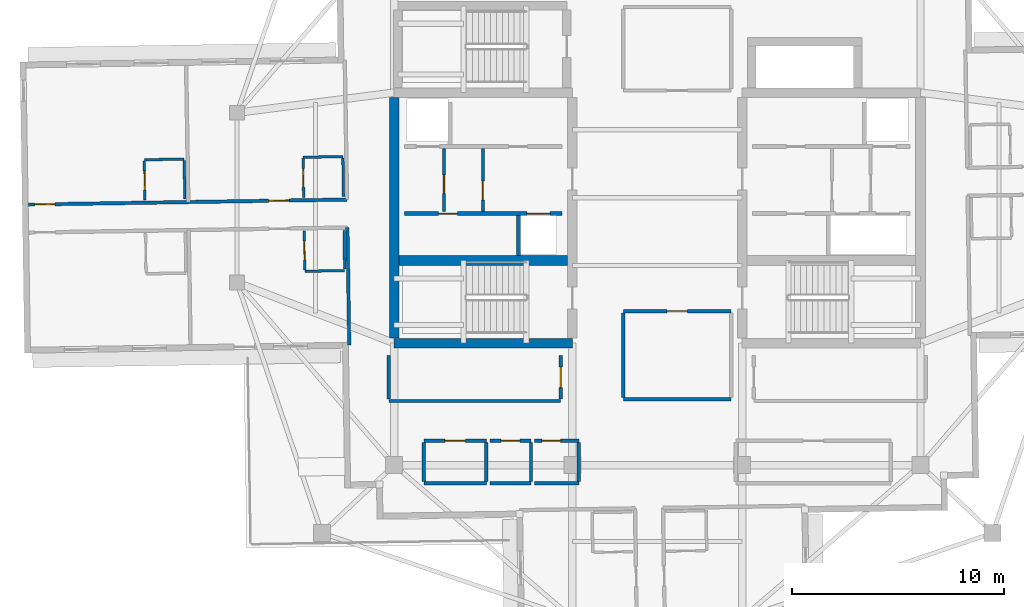
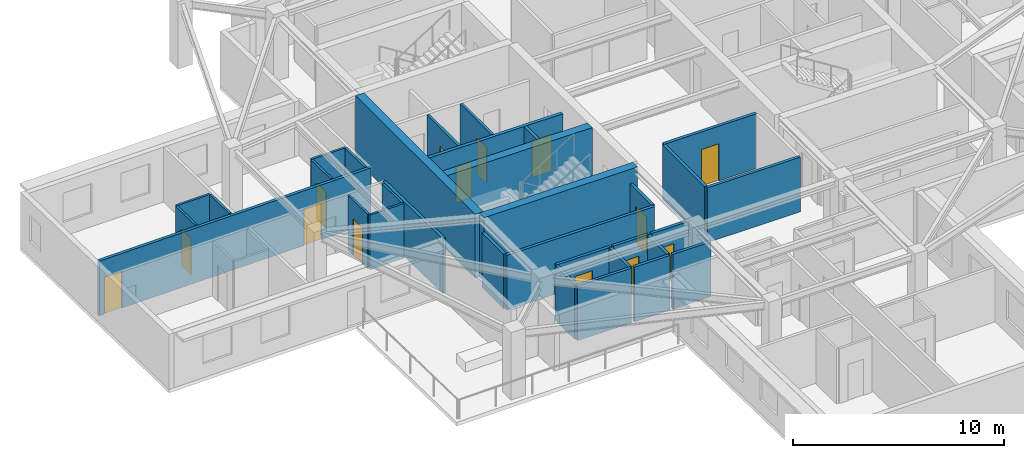
# One storey, part 4 of 12: 34 walls, 14 doors, 14 openings.
"""IFC4 building model written with IfcOpenShell, lengths in metres."""

from ifc_helpers import new_model, si_unit, direction, frame, frame_2d, origin, place, context, subcontext, project, spatial, rectangle, extrude, material, layer, layer_set, type_object, element, fill, save


model = new_model("IFC4")

# Units and contexts
model_context = context("Model", 3, precision=1e-05, world=origin(), true_north=direction((0.0, 1.0)))
body_context = subcontext(model_context, "Body", "Model", "MODEL_VIEW")
ifc_project = project(units=[si_unit("LENGTHUNIT", "METRE"), si_unit("AREAUNIT", "SQUARE_METRE"), si_unit("VOLUMEUNIT", "CUBIC_METRE"), si_unit("PLANEANGLEUNIT", "RADIAN"), si_unit("MASSUNIT", "GRAM", prefix="KILO")], contexts=[model_context])

# Site, building, storey
site_placement = place(None, origin())
site = spatial("IfcSite", under=ifc_project, at=site_placement, CompositionType="ELEMENT")
building_placement = place(site_placement, origin())
building = spatial("IfcBuilding", under=site, at=building_placement, Name="Qingluan Cross Belvedere", CompositionType="ELEMENT")
storey_placement = place(building_placement, frame((0.0, 0.0, 269.39990234375)))
storey = spatial("IfcBuildingStorey", under=building, at=storey_placement, Name="L67", CompositionType="ELEMENT", Elevation=269.39990234375)

# Walls
ifc_material_1 = material(Name="Concrete C50", Category="concrete")
ifc_layer_1 = layer(ifc_material_1, 0.449951171875, Name="CoreShearWall_450")
ifc_layer_set_1 = layer_set([ifc_layer_1], Name="Concrete C50")
wall_type_1 = type_object("IfcWallType", Name="CoreShearWall_450", PredefinedType="SHEAR", material=ifc_layer_set_1)
wall_1_placement = place(storey_placement, frame((-12.39990234375, -6.85009765625, 0.0), z_axis=(0.0, 0.0, 1.0), x_axis=(1.0, 0.0, 0.0)))
element("IfcWall", 1, at=wall_1_placement, inside=storey, type_object=wall_type_1, Name="Split core W shear wall L67-S", PredefinedType="SHEAR", context=body_context, shape_type="SweptSolid", body=[
    extrude(rectangle(XDim=8.39990234375, YDim=0.449951171875, at=frame_2d((4.199951171875, 0.0))), origin(), (0.0, 0.0, 1.0), 3.7001953125),
])
wall_2_placement = place(storey_placement, frame((-12.39990234375, -6.6201171875, 0.0), z_axis=(0.0, 0.0, 1.0), x_axis=(0.0, 1.0, 0.0)))
element("IfcWall", 2, at=wall_2_placement, inside=storey, type_object=wall_type_1, Name="Split core W shear wall L67-W", PredefinedType="SHEAR", context=body_context, shape_type="SweptSolid", body=[
    extrude(rectangle(XDim=11.340087890625, YDim=0.449951171875, at=frame_2d((5.669921875, 0.0))), origin(), (0.0, 0.0, 1.0), 3.7001953125),
])
wall_3_placement = place(storey_placement, frame((-12.169921875, -2.9599609375, 0.0), z_axis=(0.0, 0.0, 1.0), x_axis=(1.0, 0.0, 0.0)))
element("IfcWall", 3, at=wall_3_placement, inside=storey, type_object=wall_type_1, Name="Split core W shear wall L67-M", PredefinedType="SHEAR", context=body_context, shape_type="SweptSolid", body=[
    extrude(rectangle(XDim=7.93994140625, YDim=0.449951171875, at=frame_2d((3.969970703125, 0.0))), origin(), (0.0, 0.0, 1.0), 3.7001953125),
])

# Wall, opening, door
ifc_material_2 = material(Name="Gypsum plasterboard on steel stud acoustic partition", Category="steel")
ifc_layer_2 = layer(ifc_material_2, 0.159912109375, Name="CorridorPartition_160")
ifc_layer_set_2 = layer_set([ifc_layer_2], Name="Gypsum plasterboard on steel stud acoustic partition")
wall_type_2 = type_object("IfcWallType", Name="CorridorPartition_160", PredefinedType="PARTITIONING", material=ifc_layer_set_2)
wall_4_placement = place(storey_placement, frame((-10.050048828125, -0.652099609375, 0.0), z_axis=(0.0, 0.0, 1.0), x_axis=(0.0, 1.0, 0.0)))
wall_4 = element("IfcWall", 4, at=wall_4_placement, inside=storey, type_object=wall_type_2, Name="Partition L67:wv", PredefinedType="PARTITIONING", context=body_context, shape_type="SweptSolid", body=[
    extrude(rectangle(XDim=2.962158203125, YDim=0.139892578125, at=frame_2d((1.48095703125, 0.0))), origin(), (0.0, 0.0, 1.0), 3.170166015625),
])
opening_1_placement = place(wall_4_placement, frame((0.85009765625, 0.0, 0.0)))
opening_1 = element("IfcOpeningElement", 5, at=opening_1_placement, cuts=wall_4, Name="Opening FD-B10", PredefinedType="OPENING", context=body_context, shape_type="SweptSolid", body=[
    extrude(rectangle(XDim=0.8798828125, YDim=2.10009765625, at=frame_2d((0.43994140625, 1.050048828125))), frame((0.0, 0.079833984375, 0.0), z_axis=(0.0, -1.0, 0.0), x_axis=(1.0, 0.0, 0.0)), (0.0, 0.0, 1.0), 0.159912109375),
])
ifc_material_3 = material(Name="Steel Class B service fire door", Category="steel")
door_type_1 = type_object("IfcDoorType", Name="RiserServiceFireDoor_FDB", OperationType="NOTDEFINED", PredefinedType="DOOR", material=ifc_material_3)
door_1_placement = place(opening_1_placement, origin())
door_1 = element("IfcDoor", 6, at=door_1_placement, inside=storey, type_object=door_type_1, Name="Service closet inner door L67", OperationType="SINGLE_SWING_RIGHT", OverallHeight=2.10009765625, OverallWidth=0.8798828125, PredefinedType="DOOR", context=body_context, shape_type="SweptSolid", body=[
    extrude(rectangle(XDim=0.8798828125, YDim=2.10009765625, at=frame_2d((0.43994140625, 1.050048828125))), frame((0.0, 0.02490234375, 0.0), z_axis=(0.0, -1.0, 0.0), x_axis=(1.0, 0.0, 0.0)), (0.0, 0.0, 1.0), 0.050048828125),
])
fill(opening_1, door_1)

# Wall
wall_5_placement = place(storey_placement, frame((-11.0, -13.449951171875, 0.0), z_axis=(0.0, 0.0, 1.0), x_axis=(1.0, 0.0, 0.0)))
element("IfcWall", 7, at=wall_5_placement, inside=storey, type_object=wall_type_2, Name="Partition L67:q_sw_occ:S", PredefinedType="PARTITIONING", context=body_context, shape_type="SweptSolid", body=[
    extrude(rectangle(XDim=2.949951171875, YDim=0.159912109375, at=frame_2d((1.47509765625, 0.0))), origin(), (0.0, 0.0, 1.0), 3.170166015625),
])

# Wall, opening, door
wall_6_placement = place(storey_placement, frame((-11.0, -11.449951171875, 0.0), z_axis=(0.0, 0.0, 1.0), x_axis=(1.0, 0.0, 0.0)))
wall_6 = element("IfcWall", 8, at=wall_6_placement, inside=storey, type_object=wall_type_2, Name="Partition L67:q_sw_occ:N", PredefinedType="PARTITIONING", context=body_context, shape_type="SweptSolid", body=[
    extrude(rectangle(XDim=2.949951171875, YDim=0.159912109375, at=frame_2d((1.47509765625, 0.0))), origin(), (0.0, 0.0, 1.0), 3.170166015625),
])
opening_2_placement = place(wall_6_placement, frame((0.9951171875, 0.0, 0.0)))
opening_2 = element("IfcOpeningElement", 9, at=opening_2_placement, cuts=wall_6, Name="Opening GD-10", PredefinedType="OPENING", context=body_context, shape_type="SweptSolid", body=[
    extrude(rectangle(XDim=0.9599609375, YDim=2.14990234375, at=frame_2d((0.47998046875, 1.074951171875))), frame((0.0, 0.08984375, 0.0), z_axis=(0.0, -1.0, 0.0), x_axis=(1.0, 0.0, 0.0)), (0.0, 0.0, 1.0), 0.179931640625),
])
ifc_material_4 = material(Name="Timber oak fire-rated acoustic guestroom door", Category="wood")
door_type_2 = type_object("IfcDoorType", Name="GuestEntryDoor_FD60", OperationType="NOTDEFINED", PredefinedType="DOOR", material=ifc_material_4)
door_2_placement = place(opening_2_placement, origin())
door_2 = element("IfcDoor", 10, at=door_2_placement, inside=storey, type_object=door_type_2, Name="Wellness recovery room L67 door", OperationType="SINGLE_SWING_LEFT", OverallHeight=2.14990234375, OverallWidth=0.9599609375, PredefinedType="DOOR", context=body_context, shape_type="SweptSolid", body=[
    extrude(rectangle(XDim=0.9599609375, YDim=2.14990234375, at=frame_2d((0.47998046875, 1.074951171875))), frame((0.0, 0.02490234375, 0.0), z_axis=(0.0, -1.0, 0.0), x_axis=(1.0, 0.0, 0.0)), (0.0, 0.0, 1.0), 0.050048828125),
])
fill(opening_2, door_2)

# Walls
for number, where, z_axis, x_axis, name in (
    (11, (-11.0, -13.364990234375, 0.0), (0.0, 0.0, 1.0), (0.0, 1.0, 0.0), "Partition L67:q_sw_occ:W"),
    (12, (-8.050048828125, -13.364990234375, 0.0), (0.0, 0.0, 1.0), (0.0, 1.0, 0.0), "Partition L67:q_sw_occ:E"),
):
    element("IfcWall", number, at=place(storey_placement, frame(where, z_axis=z_axis, x_axis=x_axis)), inside=storey, type_object=wall_type_2, Name=name, PredefinedType="PARTITIONING", context=body_context, shape_type="SweptSolid", body=[
        extrude(rectangle(XDim=1.830078125, YDim=0.159912109375, at=frame_2d((0.9150390625, 0.0))), origin(), (0.0, 0.0, 1.0), 3.170166015625),
    ])
wall_7_placement = place(storey_placement, frame((-7.889892578125, -13.449951171875, 0.0), z_axis=(0.0, 0.0, 1.0), x_axis=(1.0, 0.0, 0.0)))
element("IfcWall", 13, at=wall_7_placement, inside=storey, type_object=wall_type_2, Name="Partition L67:hk_linen:S", PredefinedType="PARTITIONING", context=body_context, shape_type="SweptSolid", body=[
    extrude(rectangle(XDim=1.93994140625, YDim=0.159912109375, at=frame_2d((0.969970703125, 0.0))), origin(), (0.0, 0.0, 1.0), 3.170166015625),
])

# Wall, opening, door
wall_8_placement = place(storey_placement, frame((-7.889892578125, -11.449951171875, 0.0), z_axis=(0.0, 0.0, 1.0), x_axis=(1.0, 0.0, 0.0)))
wall_8 = element("IfcWall", 14, at=wall_8_placement, inside=storey, type_object=wall_type_2, Name="Partition L67:hk_linen:N", PredefinedType="PARTITIONING", context=body_context, shape_type="SweptSolid", body=[
    extrude(rectangle(XDim=1.93994140625, YDim=0.159912109375, at=frame_2d((0.969970703125, 0.0))), origin(), (0.0, 0.0, 1.0), 3.170166015625),
])
opening_3_placement = place(wall_8_placement, frame((0.530029296875, 0.0, 0.0)))
opening_3 = element("IfcOpeningElement", 15, at=opening_3_placement, cuts=wall_8, Name="Opening FD-B10", PredefinedType="OPENING", context=body_context, shape_type="SweptSolid", body=[
    extrude(rectangle(XDim=0.8798828125, YDim=2.10009765625, at=frame_2d((0.43994140625, 1.050048828125))), frame((0.0, 0.08984375, 0.0), z_axis=(0.0, -1.0, 0.0), x_axis=(1.0, 0.0, 0.0)), (0.0, 0.0, 1.0), 0.179931640625),
])
door_3_placement = place(opening_3_placement, origin())
door_3 = element("IfcDoor", 16, at=door_3_placement, inside=storey, type_object=door_type_1, Name="Housekeeping and linen store L67 door", OperationType="SINGLE_SWING_RIGHT", OverallHeight=2.10009765625, OverallWidth=0.8798828125, PredefinedType="DOOR", context=body_context, shape_type="SweptSolid", body=[
    extrude(rectangle(XDim=0.8798828125, YDim=2.10009765625, at=frame_2d((0.43994140625, 1.050048828125))), frame((0.0, 0.02490234375, 0.0), z_axis=(0.0, -1.0, 0.0), x_axis=(1.0, 0.0, 0.0)), (0.0, 0.0, 1.0), 0.050048828125),
])
fill(opening_3, door_3)

# Walls
wall_9_placement = place(storey_placement, frame((-5.949951171875, -13.364990234375, 0.0), z_axis=(0.0, 0.0, 1.0), x_axis=(0.0, 1.0, 0.0)))
element("IfcWall", 17, at=wall_9_placement, inside=storey, type_object=wall_type_2, Name="Partition L67:hk_linen:E", PredefinedType="PARTITIONING", context=body_context, shape_type="SweptSolid", body=[
    extrude(rectangle(XDim=1.830078125, YDim=0.159912109375, at=frame_2d((0.9150390625, 0.0))), origin(), (0.0, 0.0, 1.0), 3.170166015625),
])
wall_10_placement = place(storey_placement, frame((-5.7900390625, -13.449951171875, 0.0), z_axis=(0.0, 0.0, 1.0), x_axis=(1.0, 0.0, 0.0)))
element("IfcWall", 18, at=wall_10_placement, inside=storey, type_object=wall_type_2, Name="Partition L67:floor_acc_wc:S", PredefinedType="PARTITIONING", context=body_context, shape_type="SweptSolid", body=[
    extrude(rectangle(XDim=2.090087890625, YDim=0.159912109375, at=frame_2d((1.044921875, 0.0))), origin(), (0.0, 0.0, 1.0), 3.170166015625),
])

# Wall, opening, door
wall_11_placement = place(storey_placement, frame((-5.7900390625, -11.449951171875, 0.0), z_axis=(0.0, 0.0, 1.0), x_axis=(1.0, 0.0, 0.0)))
wall_11 = element("IfcWall", 19, at=wall_11_placement, inside=storey, type_object=wall_type_2, Name="Partition L67:floor_acc_wc:N", PredefinedType="PARTITIONING", context=body_context, shape_type="SweptSolid", body=[
    extrude(rectangle(XDim=2.090087890625, YDim=0.159912109375, at=frame_2d((1.044921875, 0.0))), origin(), (0.0, 0.0, 1.0), 3.170166015625),
])
opening_4_placement = place(wall_11_placement, frame((0.35009765625, 0.0, 0.0)))
opening_4 = element("IfcOpeningElement", 20, at=opening_4_placement, cuts=wall_11, Name="Opening BD-08", PredefinedType="OPENING", context=body_context, shape_type="SweptSolid", body=[
    extrude(rectangle(XDim=0.8798828125, YDim=2.14990234375, at=frame_2d((0.43994140625, 1.074951171875))), frame((0.0, 0.08984375, 0.0), z_axis=(0.0, -1.0, 0.0), x_axis=(1.0, 0.0, 0.0)), (0.0, 0.0, 1.0), 0.179931640625),
])
ifc_material_5 = material(Name="Moisture-sealed timber accessible WC door", Category="wood")
door_type_3 = type_object("IfcDoorType", Name="AccessibleWCDoor_880", OperationType="NOTDEFINED", PredefinedType="DOOR", material=ifc_material_5)
door_4_placement = place(opening_4_placement, origin())
door_4 = element("IfcDoor", 21, at=door_4_placement, inside=storey, type_object=door_type_3, Name="Accessible guest washroom L67 door", OperationType="SINGLE_SWING_LEFT", OverallHeight=2.14990234375, OverallWidth=0.8798828125, PredefinedType="DOOR", context=body_context, shape_type="SweptSolid", body=[
    extrude(rectangle(XDim=0.8798828125, YDim=2.14990234375, at=frame_2d((0.43994140625, 1.074951171875))), frame((0.0, 0.02490234375, 0.0), z_axis=(0.0, -1.0, 0.0), x_axis=(1.0, 0.0, 0.0)), (0.0, 0.0, 1.0), 0.050048828125),
])
fill(opening_4, door_4)

# Walls
wall_12_placement = place(storey_placement, frame((-3.699951171875, -13.364990234375, 0.0), z_axis=(0.0, 0.0, 1.0), x_axis=(0.0, 1.0, 0.0)))
element("IfcWall", 22, at=wall_12_placement, inside=storey, type_object=wall_type_2, Name="Partition L67:floor_acc_wc:E", PredefinedType="PARTITIONING", context=body_context, shape_type="SweptSolid", body=[
    extrude(rectangle(XDim=1.830078125, YDim=0.159912109375, at=frame_2d((0.9150390625, 0.0))), origin(), (0.0, 0.0, 1.0), 3.170166015625),
])
wall_13_placement = place(storey_placement, frame((-1.60009765625, -9.5, 0.0), z_axis=(0.0, 0.0, 1.0), x_axis=(1.0, 0.0, 0.0)))
element("IfcWall", 23, at=wall_13_placement, inside=storey, type_object=wall_type_2, Name="Partition L67:sky_south_alcove:S", PredefinedType="PARTITIONING", context=body_context, shape_type="SweptSolid", body=[
    extrude(rectangle(XDim=5.080078125, YDim=0.159912109375, at=frame_2d((2.5400390625, 0.0))), origin(), (0.0, 0.0, 1.0), 3.170166015625),
])

# Wall, opening, door
wall_14_placement = place(storey_placement, frame((-1.60009765625, -5.35009765625, 0.0), z_axis=(0.0, 0.0, 1.0), x_axis=(1.0, 0.0, 0.0)))
wall_14 = element("IfcWall", 24, at=wall_14_placement, inside=storey, type_object=wall_type_2, Name="Partition L67:sky_south_alcove:N", PredefinedType="PARTITIONING", context=body_context, shape_type="SweptSolid", body=[
    extrude(rectangle(XDim=5.080078125, YDim=0.159912109375, at=frame_2d((2.5400390625, 0.0))), origin(), (0.0, 0.0, 1.0), 3.170166015625),
])
opening_5_placement = place(wall_14_placement, frame((2.06005859375, 0.0, 0.0)))
opening_5 = element("IfcOpeningElement", 25, at=opening_5_placement, cuts=wall_14, Name="Opening GD-10", PredefinedType="OPENING", context=body_context, shape_type="SweptSolid", body=[
    extrude(rectangle(XDim=0.9599609375, YDim=2.14990234375, at=frame_2d((0.47998046875, 1.074951171875))), frame((0.0, 0.08984375, 0.0), z_axis=(0.0, -1.0, 0.0), x_axis=(1.0, 0.0, 0.0)), (0.0, 0.0, 1.0), 0.179931640625),
])
door_5_placement = place(opening_5_placement, origin())
door_5 = element("IfcDoor", 26, at=door_5_placement, inside=storey, type_object=door_type_2, Name="South horizon reading alcove L67 door", OperationType="SINGLE_SWING_LEFT", OverallHeight=2.14990234375, OverallWidth=0.9599609375, PredefinedType="DOOR", context=body_context, shape_type="SweptSolid", body=[
    extrude(rectangle(XDim=0.9599609375, YDim=2.14990234375, at=frame_2d((0.47998046875, 1.074951171875))), frame((0.0, 0.02490234375, 0.0), z_axis=(0.0, -1.0, 0.0), x_axis=(1.0, 0.0, 0.0)), (0.0, 0.0, 1.0), 0.050048828125),
])
fill(opening_5, door_5)

# Walls
wall_15_placement = place(storey_placement, frame((-1.60009765625, -9.4150390625, 0.0), z_axis=(0.0, 0.0, 1.0), x_axis=(0.0, 1.0, 0.0)))
element("IfcWall", 27, at=wall_15_placement, inside=storey, type_object=wall_type_2, Name="Partition L67:sky_south_alcove:W", PredefinedType="PARTITIONING", context=body_context, shape_type="SweptSolid", body=[
    extrude(rectangle(XDim=3.97998046875, YDim=0.159912109375, at=frame_2d((1.989990234375, 0.0))), origin(), (0.0, 0.0, 1.0), 3.170166015625),
])
wall_16_placement = place(storey_placement, frame((-12.64990234375, -9.580078125, 0.0), z_axis=(0.0, 0.0, 1.0), x_axis=(1.0, 0.0, 0.0)))
element("IfcWall", 28, at=wall_16_placement, inside=storey, type_object=wall_type_2, Name="Partition L67:rec_st4_w:S", PredefinedType="PARTITIONING", context=body_context, shape_type="SweptSolid", body=[
    extrude(rectangle(XDim=8.099853515625, YDim=0.159912109375, at=frame_2d((4.0498046875, 0.0))), origin(), (0.0, 0.0, 1.0), 3.170166015625),
])
wall_17_placement = place(storey_placement, frame((-12.64990234375, -9.4951171875, 0.0), z_axis=(0.0, 0.0, 1.0), x_axis=(0.0, 1.0, 0.0)))
element("IfcWall", 29, at=wall_17_placement, inside=storey, type_object=wall_type_2, Name="Partition L67:rec_st4_w:W", PredefinedType="PARTITIONING", context=body_context, shape_type="SweptSolid", body=[
    extrude(rectangle(XDim=2.06005859375, YDim=0.159912109375, at=frame_2d((1.030029296875, 0.0))), origin(), (0.0, 0.0, 1.0), 3.170166015625),
])

# Wall, opening, door
wall_18_placement = place(storey_placement, frame((-4.550048828125, -9.4951171875, 0.0), z_axis=(0.0, 0.0, 1.0), x_axis=(0.0, 1.0, 0.0)))
wall_18 = element("IfcWall", 30, at=wall_18_placement, inside=storey, type_object=wall_type_2, Name="Partition L67:rec_st4_w:E", PredefinedType="PARTITIONING", context=body_context, shape_type="SweptSolid", body=[
    extrude(rectangle(XDim=2.06005859375, YDim=0.159912109375, at=frame_2d((1.030029296875, 0.0))), origin(), (0.0, 0.0, 1.0), 3.170166015625),
])
opening_6_placement = place(wall_18_placement, frame((0.550048828125, 0.0, 0.0)))
opening_6 = element("IfcOpeningElement", 31, at=opening_6_placement, cuts=wall_18, Name="Opening GD-10", PredefinedType="OPENING", context=body_context, shape_type="SweptSolid", body=[
    extrude(rectangle(XDim=0.9599609375, YDim=2.14990234375, at=frame_2d((0.47998046875, 1.074951171875))), frame((0.0, 0.08984375, 0.0), z_axis=(0.0, -1.0, 0.0), x_axis=(1.0, 0.0, 0.0)), (0.0, 0.0, 1.0), 0.179931640625),
])
door_6_placement = place(opening_6_placement, origin())
door_6 = element("IfcDoor", 32, at=door_6_placement, inside=storey, type_object=door_type_2, Name="Southwest club reading room L67 door", OperationType="SINGLE_SWING_LEFT", OverallHeight=2.14990234375, OverallWidth=0.9599609375, PredefinedType="DOOR", context=body_context, shape_type="SweptSolid", body=[
    extrude(rectangle(XDim=0.9599609375, YDim=2.14990234375, at=frame_2d((0.47998046875, 1.074951171875))), frame((0.0, 0.02490234375, 0.0), z_axis=(0.0, -1.0, 0.0), x_axis=(1.0, 0.0, 0.0)), (0.0, 0.0, 1.0), 0.050048828125),
])
fill(opening_6, door_6)

# Wall, openings, doors
wall_19_placement = place(storey_placement, frame((-14.620361328125, -0.089599609375, 0.0), z_axis=(0.0, 0.0, 1.0), x_axis=(-0.999876590701, -0.015709976686, 0.0)))
wall_19 = element("IfcWall", 33, at=wall_19_placement, inside=storey, type_object=wall_type_2, Name="Partition L67:W:c0", PredefinedType="PARTITIONING", context=body_context, shape_type="SweptSolid", body=[
    extrude(rectangle(XDim=15.01220703125, YDim=0.159912109375, at=frame_2d((7.506103515625, 0.0))), origin(), (0.0, 0.0, 1.0), 3.170166015625),
])
opening_7_placement = place(wall_19_placement, frame((2.72802734375, 0.0, 0.0)))
opening_7 = element("IfcOpeningElement", 34, at=opening_7_placement, cuts=wall_19, Name="Opening GD-10", PredefinedType="OPENING", context=body_context, shape_type="SweptSolid", body=[
    extrude(rectangle(XDim=0.9599609375, YDim=2.14990234375, at=frame_2d((0.47998046875, 1.074951171875))), frame((0.0, 0.08984375, 0.0), z_axis=(0.0, -1.0, 0.0), x_axis=(1.0, 0.0, 0.0)), (0.0, 0.0, 1.0), 0.179931640625),
])
opening_8_placement = place(wall_19_placement, frame((13.760009765625, 0.0, 0.0)))
opening_8 = element("IfcOpeningElement", 35, at=opening_8_placement, cuts=wall_19, Name="Opening GD-10", PredefinedType="OPENING", context=body_context, shape_type="SweptSolid", body=[
    extrude(rectangle(XDim=0.9599609375, YDim=2.14990234375, at=frame_2d((0.47998046875, 1.074951171875))), frame((0.0, 0.08984375, 0.0), z_axis=(0.0, -1.0, 0.0), x_axis=(1.0, 0.0, 0.0)), (0.0, 0.0, 1.0), 0.179931640625),
])
door_7_placement = place(opening_7_placement, origin())
door_7 = element("IfcDoor", 36, at=door_7_placement, inside=storey, type_object=door_type_2, Name="Guest entry fire door 6705", OperationType="SINGLE_SWING_RIGHT", OverallHeight=2.14990234375, OverallWidth=0.9599609375, PredefinedType="DOOR", context=body_context, shape_type="SweptSolid", body=[
    extrude(rectangle(XDim=0.9599609375, YDim=2.14990234375, at=frame_2d((0.47998046875, 1.074951171875))), frame((0.0, 0.02490234375, 0.0), z_axis=(0.0, -1.0, 0.0), x_axis=(1.0, 0.0, 0.0)), (0.0, 0.0, 1.0), 0.050048828125),
])
fill(opening_7, door_7)
door_8_placement = place(opening_8_placement, origin())
door_8 = element("IfcDoor", 37, at=door_8_placement, inside=storey, type_object=door_type_2, Name="Guest entry fire door 6706", OperationType="SINGLE_SWING_RIGHT", OverallHeight=2.14990234375, OverallWidth=0.9599609375, PredefinedType="DOOR", context=body_context, shape_type="SweptSolid", body=[
    extrude(rectangle(XDim=0.9599609375, YDim=2.14990234375, at=frame_2d((0.47998046875, 1.074951171875))), frame((0.0, 0.02490234375, 0.0), z_axis=(0.0, -1.0, 0.0), x_axis=(1.0, 0.0, 0.0)), (0.0, 0.0, 1.0), 0.050048828125),
])
fill(opening_8, door_8)

# Wall
wall_20_placement = place(storey_placement, frame((-14.599609375, -1.409423828125, 0.0), z_axis=(0.0, 0.0, 1.0), x_axis=(0.015688491621, -0.999876928042, 0.0)))
element("IfcWall", 38, at=wall_20_placement, inside=storey, type_object=wall_type_2, Name="Partition L67:W:s1", PredefinedType="PARTITIONING", context=body_context, shape_type="SweptSolid", body=[
    extrude(rectangle(XDim=5.5400390625, YDim=0.159912109375, at=frame_2d((2.77001953125, 0.0))), origin(), (0.0, 0.0, 1.0), 3.170166015625),
])

# Wall, opening, door
ifc_material_6 = material(Name="Moisture-resistant gypsum board lining")
ifc_layer_3 = layer(ifc_material_6, 0.1201171875, Name="EnsuiteWetPartition_120")
ifc_layer_set_3 = layer_set([ifc_layer_3], Name="Moisture-resistant gypsum board lining")
wall_type_3 = type_object("IfcWallType", Name="EnsuiteWetPartition_120", PredefinedType="PARTITIONING", material=ifc_layer_set_3)
wall_21_placement = place(storey_placement, frame((-16.662353515625, 0.018310546875, 0.0), z_axis=(0.0, 0.0, 1.0), x_axis=(-0.015694337248, 0.999876836305, 0.0)))
wall_21 = element("IfcWall", 39, at=wall_21_placement, inside=storey, type_object=wall_type_3, Name="Partition L67:W:bs0_0", PredefinedType="PARTITIONING", context=body_context, shape_type="SweptSolid", body=[
    extrude(rectangle(XDim=1.820068359375, YDim=0.1201171875, at=frame_2d((0.91015625, 0.0))), origin(), (0.0, 0.0, 1.0), 3.170166015625),
])
opening_9_placement = place(wall_21_placement, frame((0.469970703125, 0.0, 0.0)))
opening_9 = element("IfcOpeningElement", 40, at=opening_9_placement, cuts=wall_21, Name="Opening BD-09", PredefinedType="OPENING", context=body_context, shape_type="SweptSolid", body=[
    extrude(rectangle(XDim=0.8798828125, YDim=2.10009765625, at=frame_2d((0.43994140625, 1.050048828125))), frame((0.0, 0.070068359375, 0.0), z_axis=(0.0, -1.0, 0.0), x_axis=(1.0, 0.0, 0.0)), (0.0, 0.0, 1.0), 0.14013671875),
])
ifc_material_7 = material(Name="Moisture-sealed timber en-suite door", Category="wood")
door_type_4 = type_object("IfcDoorType", Name="BathroomDoor_880", OperationType="NOTDEFINED", PredefinedType="DOOR", material=ifc_material_7)
door_9_placement = place(opening_9_placement, origin())
door_9 = element("IfcDoor", 41, at=door_9_placement, inside=storey, type_object=door_type_4, Name="Bathroom door 6705", OperationType="SINGLE_SWING_LEFT", OverallHeight=2.10009765625, OverallWidth=0.8798828125, PredefinedType="DOOR", context=body_context, shape_type="SweptSolid", body=[
    extrude(rectangle(XDim=0.8798828125, YDim=2.10009765625, at=frame_2d((0.43994140625, 1.050048828125))), frame((0.0, 0.02490234375, 0.0), z_axis=(0.0, -1.0, 0.0), x_axis=(1.0, 0.0, 0.0)), (0.0, 0.0, 1.0), 0.050048828125),
])
fill(opening_9, door_9)

# Walls
wall_22_placement = place(storey_placement, frame((-14.78271484375, 0.0478515625, 0.0), z_axis=(0.0, 0.0, 1.0), x_axis=(-0.015694337248, 0.999876836305, 0.0)))
element("IfcWall", 42, at=wall_22_placement, inside=storey, type_object=wall_type_3, Name="Partition L67:W:bw0_0", PredefinedType="PARTITIONING", context=body_context, shape_type="SweptSolid", body=[
    extrude(rectangle(XDim=1.820068359375, YDim=0.1201171875, at=frame_2d((0.91015625, 0.0))), origin(), (0.0, 0.0, 1.0), 3.170166015625),
])
wall_23_placement = place(storey_placement, frame((-14.812255859375, 1.9326171875, 0.0), z_axis=(0.0, 0.0, 1.0), x_axis=(-0.99987652141, -0.015714386166, 0.0)))
element("IfcWall", 43, at=wall_23_placement, inside=storey, type_object=wall_type_3, Name="Partition L67:W:bn0_0", PredefinedType="PARTITIONING", context=body_context, shape_type="SweptSolid", body=[
    extrude(rectangle(XDim=1.8798828125, YDim=0.1201171875, at=frame_2d((0.93994140625, 0.0))), origin(), (0.0, 0.0, 1.0), 3.170166015625),
])

# Wall, opening, door
wall_24_placement = place(storey_placement, frame((-24.138427734375, -0.09912109375, 0.0), z_axis=(0.0, 0.0, 1.0), x_axis=(-0.015694337248, 0.999876836305, 0.0)))
wall_24 = element("IfcWall", 44, at=wall_24_placement, inside=storey, type_object=wall_type_3, Name="Partition L67:W:bs0_1", PredefinedType="PARTITIONING", context=body_context, shape_type="SweptSolid", body=[
    extrude(rectangle(XDim=1.820068359375, YDim=0.1201171875, at=frame_2d((0.91015625, 0.0))), origin(), (0.0, 0.0, 1.0), 3.170166015625),
])
opening_10_placement = place(wall_24_placement, frame((0.469970703125, 0.0, 0.0)))
opening_10 = element("IfcOpeningElement", 45, at=opening_10_placement, cuts=wall_24, Name="Opening BD-09", PredefinedType="OPENING", context=body_context, shape_type="SweptSolid", body=[
    extrude(rectangle(XDim=0.8798828125, YDim=2.10009765625, at=frame_2d((0.43994140625, 1.050048828125))), frame((0.0, 0.070068359375, 0.0), z_axis=(0.0, -1.0, 0.0), x_axis=(1.0, 0.0, 0.0)), (0.0, 0.0, 1.0), 0.14013671875),
])
door_10_placement = place(opening_10_placement, origin())
door_10 = element("IfcDoor", 46, at=door_10_placement, inside=storey, type_object=door_type_4, Name="Bathroom door 6706", OperationType="SINGLE_SWING_LEFT", OverallHeight=2.10009765625, OverallWidth=0.8798828125, PredefinedType="DOOR", context=body_context, shape_type="SweptSolid", body=[
    extrude(rectangle(XDim=0.8798828125, YDim=2.10009765625, at=frame_2d((0.43994140625, 1.050048828125))), frame((0.0, 0.02490234375, 0.0), z_axis=(0.0, -1.0, 0.0), x_axis=(1.0, 0.0, 0.0)), (0.0, 0.0, 1.0), 0.050048828125),
])
fill(opening_10, door_10)

# Walls
wall_25_placement = place(storey_placement, frame((-22.2587890625, -0.069580078125, 0.0), z_axis=(0.0, 0.0, 1.0), x_axis=(-0.015562317507, 0.999878899804, 0.0)))
element("IfcWall", 47, at=wall_25_placement, inside=storey, type_object=wall_type_3, Name="Partition L67:W:bw0_1", PredefinedType="PARTITIONING", context=body_context, shape_type="SweptSolid", body=[
    extrude(rectangle(XDim=1.81982421875, YDim=0.1201171875, at=frame_2d((0.909912109375, 0.0))), origin(), (0.0, 0.0, 1.0), 3.170166015625),
])
wall_26_placement = place(storey_placement, frame((-22.288330078125, 1.815185546875, 0.0), z_axis=(0.0, 0.0, 1.0), x_axis=(-0.99987652141, -0.015714386166, 0.0)))
element("IfcWall", 48, at=wall_26_placement, inside=storey, type_object=wall_type_3, Name="Partition L67:W:bn0_1", PredefinedType="PARTITIONING", context=body_context, shape_type="SweptSolid", body=[
    extrude(rectangle(XDim=1.8798828125, YDim=0.1201171875, at=frame_2d((0.93994140625, 0.0))), origin(), (0.0, 0.0, 1.0), 3.170166015625),
])

# Wall, opening, door
wall_27_placement = place(storey_placement, frame((-16.608642578125, -3.4013671875, 0.0), z_axis=(0.0, 0.0, 1.0), x_axis=(-0.015694337248, 0.999876836305, 0.0)))
wall_27 = element("IfcWall", 49, at=wall_27_placement, inside=storey, type_object=wall_type_3, Name="Partition L67:W:bs1_0", PredefinedType="PARTITIONING", context=body_context, shape_type="SweptSolid", body=[
    extrude(rectangle(XDim=1.820068359375, YDim=0.1201171875, at=frame_2d((0.91015625, 0.0))), origin(), (0.0, 0.0, 1.0), 3.170166015625),
])
opening_11_placement = place(wall_27_placement, frame((0.469970703125, 0.0, 0.0)))
opening_11 = element("IfcOpeningElement", 50, at=opening_11_placement, cuts=wall_27, Name="Opening BD-09", PredefinedType="OPENING", context=body_context, shape_type="SweptSolid", body=[
    extrude(rectangle(XDim=0.8798828125, YDim=2.10009765625, at=frame_2d((0.43994140625, 1.050048828125))), frame((0.0, 0.070068359375, 0.0), z_axis=(0.0, -1.0, 0.0), x_axis=(1.0, 0.0, 0.0)), (0.0, 0.0, 1.0), 0.14013671875),
])
door_11_placement = place(opening_11_placement, origin())
door_11 = element("IfcDoor", 51, at=door_11_placement, inside=storey, type_object=door_type_4, Name="Bathroom door 6707", OperationType="SINGLE_SWING_LEFT", OverallHeight=2.10009765625, OverallWidth=0.8798828125, PredefinedType="DOOR", context=body_context, shape_type="SweptSolid", body=[
    extrude(rectangle(XDim=0.8798828125, YDim=2.10009765625, at=frame_2d((0.43994140625, 1.050048828125))), frame((0.0, 0.02490234375, 0.0), z_axis=(0.0, -1.0, 0.0), x_axis=(1.0, 0.0, 0.0)), (0.0, 0.0, 1.0), 0.050048828125),
])
fill(opening_11, door_11)

# Walls
wall_28_placement = place(storey_placement, frame((-14.72900390625, -3.371826171875, 0.0), z_axis=(0.0, 0.0, 1.0), x_axis=(-0.015560230231, 0.999878932289, 0.0)))
element("IfcWall", 52, at=wall_28_placement, inside=storey, type_object=wall_type_3, Name="Partition L67:W:bw1_0", PredefinedType="PARTITIONING", context=body_context, shape_type="SweptSolid", body=[
    extrude(rectangle(XDim=1.820068359375, YDim=0.1201171875, at=frame_2d((0.91015625, 0.0))), origin(), (0.0, 0.0, 1.0), 3.170166015625),
])
wall_29_placement = place(storey_placement, frame((-14.727783203125, -3.436767578125, 0.0), z_axis=(0.0, 0.0, 1.0), x_axis=(-0.999876553475, -0.01571234584, 0.0)))
element("IfcWall", 53, at=wall_29_placement, inside=storey, type_object=wall_type_3, Name="Partition L67:W:bc1_0", PredefinedType="PARTITIONING", context=body_context, shape_type="SweptSolid", body=[
    extrude(rectangle(XDim=1.880126953125, YDim=0.1201171875, at=frame_2d((0.93994140625, 0.0))), origin(), (0.0, 0.0, 1.0), 3.170166015625),
])

# Wall, openings, doors
ifc_material_8 = material(Name="Concrete C40", Category="concrete")
ifc_layer_4 = layer(ifc_material_8, 0.219970703125, Name="ShaftEnclosureWall_250")
ifc_layer_set_4 = layer_set([ifc_layer_4], Name="Concrete C40")
wall_type_4 = type_object("IfcWallType", Name="ShaftEnclosureWall_250", PredefinedType="SOLIDWALL", material=ifc_layer_set_4)
wall_30_placement = place(storey_placement, frame((-11.89990234375, -0.75, 0.0), z_axis=(0.0, 0.0, 1.0), x_axis=(1.0, 0.0, 0.0)))
wall_30 = element("IfcWall", 54, at=wall_30_placement, inside=storey, type_object=wall_type_4, Name="Core-W mid hoistway wall L67", PredefinedType="SOLIDWALL", context=body_context, shape_type="SweptSolid", body=[
    extrude(rectangle(XDim=7.419921875, YDim=0.179931640625, at=frame_2d((3.7099609375, 0.0))), origin(), (0.0, 0.0, 1.0), 3.170166015625),
])
opening_12_placement = place(wall_30_placement, frame((5.75, 0.0, 0.0)))
opening_12 = element("IfcOpeningElement", 55, at=opening_12_placement, cuts=wall_30, Name="Opening LD-11", PredefinedType="OPENING", context=body_context, shape_type="SweptSolid", body=[
    extrude(rectangle(XDim=1.10009765625, YDim=2.14990234375, at=frame_2d((0.550048828125, 1.074951171875))), frame((0.0, 0.099853515625, 0.0), z_axis=(0.0, -1.0, 0.0), x_axis=(1.0, 0.0, 0.0)), (0.0, 0.0, 1.0), 0.199951171875),
])
opening_13_placement = place(wall_30_placement, frame((1.60009765625, 0.0, 0.0)))
opening_13 = element("IfcOpeningElement", 56, at=opening_13_placement, cuts=wall_30, Name="Opening FD-B10", PredefinedType="OPENING", context=body_context, shape_type="SweptSolid", body=[
    extrude(rectangle(XDim=0.8798828125, YDim=2.10009765625, at=frame_2d((0.43994140625, 1.050048828125))), frame((0.0, 0.099853515625, 0.0), z_axis=(0.0, -1.0, 0.0), x_axis=(1.0, 0.0, 0.0)), (0.0, 0.0, 1.0), 0.199951171875),
])
ifc_material_9 = material(Name="Brushed stainless steel centre-opening lift landing door", Category="steel")
door_type_5 = type_object("IfcDoorType", Name="LiftLandingSlidingDoor_1100", OperationType="DOUBLE_DOOR_SLIDING", PredefinedType="DOOR", material=ifc_material_9)
door_12_placement = place(opening_12_placement, origin())
door_12 = element("IfcDoor", 57, at=door_12_placement, inside=storey, type_object=door_type_5, Name="Lift landing sliding door LP8 L67", OperationType="DOUBLE_DOOR_SLIDING", OverallHeight=2.14990234375, OverallWidth=1.10009765625, PredefinedType="DOOR", context=body_context, shape_type="SweptSolid", body=[
    extrude(rectangle(XDim=1.10009765625, YDim=2.14990234375, at=frame_2d((0.550048828125, 1.074951171875))), frame((0.0, 0.02490234375, 0.0), z_axis=(0.0, -1.0, 0.0), x_axis=(1.0, 0.0, 0.0)), (0.0, 0.0, 1.0), 0.050048828125),
])
fill(opening_12, door_12)
door_13_placement = place(opening_13_placement, origin())
door_13 = element("IfcDoor", 58, at=door_13_placement, inside=storey, type_object=door_type_1, Name="Upper-zone electrical room door L67", OperationType="SINGLE_SWING_RIGHT", OverallHeight=2.10009765625, OverallWidth=0.8798828125, PredefinedType="DOOR", context=body_context, shape_type="SweptSolid", body=[
    extrude(rectangle(XDim=0.8798828125, YDim=2.10009765625, at=frame_2d((0.43994140625, 1.050048828125))), frame((0.0, 0.02490234375, 0.0), z_axis=(0.0, -1.0, 0.0), x_axis=(1.0, 0.0, 0.0)), (0.0, 0.0, 1.0), 0.050048828125),
])
fill(opening_13, door_13)

# Wall
wall_31_placement = place(storey_placement, frame((-6.5400390625, -2.72998046875, 0.0), z_axis=(0.0, 0.0, 1.0), x_axis=(0.0, 1.0, 0.0)))
element("IfcWall", 59, at=wall_31_placement, inside=storey, type_object=wall_type_4, Name="Hoistway enclosure divider LP8W L67", PredefinedType="SOLIDWALL", context=body_context, shape_type="SweptSolid", body=[
    extrude(rectangle(XDim=1.889892578125, YDim=0.179931640625, at=frame_2d((0.94482421875, 0.0))), origin(), (0.0, 0.0, 1.0), 3.170166015625),
])

# Wall, opening, door
wall_32_placement = place(storey_placement, frame((-8.219970703125, -0.64990234375, 0.0), z_axis=(0.0, 0.0, 1.0), x_axis=(0.0, 1.0, 0.0)))
wall_32 = element("IfcWall", 60, at=wall_32_placement, inside=storey, type_object=wall_type_4, Name="Core-W service corridor wall L67", PredefinedType="SOLIDWALL", context=body_context, shape_type="SweptSolid", body=[
    extrude(rectangle(XDim=2.9599609375, YDim=0.139892578125, at=frame_2d((1.47998046875, 0.0))), origin(), (0.0, 0.0, 1.0), 3.170166015625),
])
opening_14_placement = place(wall_32_placement, frame((0.550048828125, 0.0, 0.0)))
opening_14 = element("IfcOpeningElement", 61, at=opening_14_placement, cuts=wall_32, Name="Opening FD-B10", PredefinedType="OPENING", context=body_context, shape_type="SweptSolid", body=[
    extrude(rectangle(XDim=0.8798828125, YDim=2.10009765625, at=frame_2d((0.43994140625, 1.050048828125))), frame((0.0, 0.079833984375, 0.0), z_axis=(0.0, -1.0, 0.0), x_axis=(1.0, 0.0, 0.0)), (0.0, 0.0, 1.0), 0.159912109375),
])
door_14_placement = place(opening_14_placement, origin())
door_14 = element("IfcDoor", 62, at=door_14_placement, inside=storey, type_object=door_type_1, Name="Core-W service room door L67", OperationType="SINGLE_SWING_RIGHT", OverallHeight=2.10009765625, OverallWidth=0.8798828125, PredefinedType="DOOR", context=body_context, shape_type="SweptSolid", body=[
    extrude(rectangle(XDim=0.8798828125, YDim=2.10009765625, at=frame_2d((0.43994140625, 1.050048828125))), frame((0.0, 0.02490234375, 0.0), z_axis=(0.0, -1.0, 0.0), x_axis=(1.0, 0.0, 0.0)), (0.0, 0.0, 1.0), 0.050048828125),
])
fill(opening_14, door_14)

save(model, "model.ifc")
